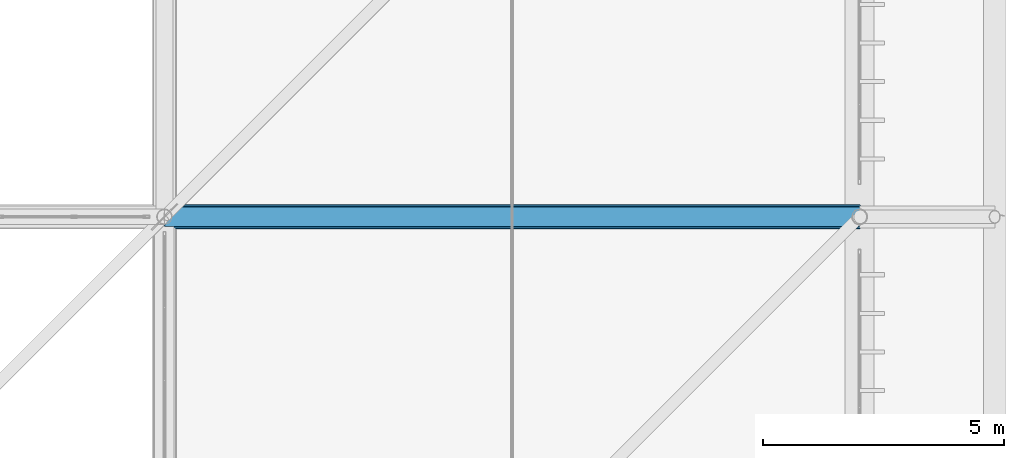
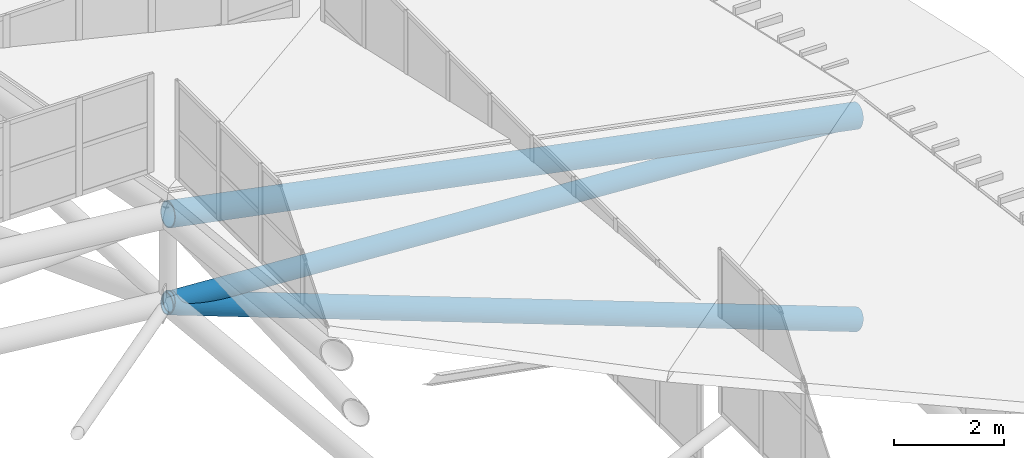
# One storey, part 336 of 397: 2 beams, 1 member.
"""IFC4 building model written with IfcOpenShell, lengths in metres."""

from ifc_helpers import new_model, si_unit, direction, frame, origin, origin_2d, place, context, subcontext, project, spatial, hollow_circle, extrude, material, material_profile, profile_set, type_object, element, save


model = new_model("IFC4")

# Units and contexts
model_context = context("Model", 3, precision=1e-05, world=origin(), true_north=direction((0.0, 1.0)))
body_context = subcontext(model_context, "Body", "Model", "MODEL_VIEW")
ifc_project = project(units=[si_unit("LENGTHUNIT", "METRE"), si_unit("AREAUNIT", "SQUARE_METRE"), si_unit("VOLUMEUNIT", "CUBIC_METRE"), si_unit("PLANEANGLEUNIT", "RADIAN"), si_unit("MASSUNIT", "GRAM", prefix="KILO")], contexts=[model_context])

# Site, building, storey
site_placement = place(None, origin())
site = spatial("IfcSite", under=ifc_project, at=site_placement, CompositionType="ELEMENT")
building_placement = place(site_placement, origin())
building = spatial("IfcBuilding", under=site, at=building_placement, Name="Qandorah Velis Arena", CompositionType="ELEMENT")
storey_placement = place(building_placement, frame((0.0, 0.0, 27.5)))
storey = spatial("IfcBuildingStorey", under=building, at=storey_placement, Name="RF", CompositionType="ELEMENT", Elevation=27.5)

# Beams
ifc_material_1 = material(Name="Steel S355", Category="steel")
ifc_material_profile_1 = material_profile(ifc_material_1, hollow_circle(Radius=0.228515625, WallThickness=0.01611328125, at=origin_2d()), Name="CHS 457x16")
ifc_profile_set_1 = profile_set([ifc_material_profile_1], Name="Steel S355")
beam_type_1 = type_object("IfcBeamType", Name="STR-SFC-CHS457X16", PredefinedType="USERDEFINED", material=ifc_profile_set_1)
beam_1_placement = place(storey_placement, frame((100.800048828125, 100.800048828125, 5.515380859375), z_axis=(0.936001385317, 0.0, -0.351996316295), x_axis=(0.0, 1.0, 0.0)))
element("IfcBeam", 1, at=beam_1_placement, inside=storey, type_object=beam_type_1, Name="Space frame roof truss bottom chord X 6.6", ObjectType="ROOF TRUSS", PredefinedType="USERDEFINED", context=body_context, shape_type="SweptSolid", body=[
    extrude(hollow_circle(Radius=0.228515625, WallThickness=0.01611328125, at=origin_2d()), origin(), (0.0, 0.0, 1.0), 15.384521484375),
])
ifc_material_profile_2 = material_profile(ifc_material_1, hollow_circle(Radius=0.25390625, WallThickness=0.02001953125, at=origin_2d()), Name="CHS 508x20")
ifc_profile_set_2 = profile_set([ifc_material_profile_2], Name="Steel S355")
beam_type_2 = type_object("IfcBeamType", Name="STR-SFC-CHS508X20", PredefinedType="USERDEFINED", material=ifc_profile_set_2)
beam_2_placement = place(storey_placement, frame((100.800048828125, 100.800048828125, 7.46533203125), z_axis=(0.980881415591, 0.0, -0.194606393904), x_axis=(0.0, 1.0, 0.0)))
element("IfcBeam", 2, at=beam_2_placement, inside=storey, type_object=beam_type_2, Name="Space frame roof truss top chord X 6.6", ObjectType="ROOF TRUSS", PredefinedType="USERDEFINED", context=body_context, shape_type="SweptSolid", body=[
    extrude(hollow_circle(Radius=0.25390625, WallThickness=0.02001953125, at=origin_2d()), origin(), (0.0, 0.0, 1.0), 14.6806640625),
])

# Member
ifc_material_2 = material(Name="Steel S460", Category="steel")
ifc_material_profile_3 = material_profile(ifc_material_2, hollow_circle(Radius=0.203125, WallThickness=0.02001953125, at=origin_2d()), Name="CHS 406.4x20")
ifc_profile_set_3 = profile_set([ifc_material_profile_3], Name="Steel S460")
member_type = type_object("IfcMemberType", Name="STR-SFD-CHS406X20", PredefinedType="STRUT", material=ifc_profile_set_3)
member_placement = place(storey_placement, frame((100.800048828125, 100.800048828125, 5.515380859375), z_axis=(0.998022307298, 0.0, -0.062860751952), x_axis=(0.0, 1.0, 0.0)))
element("IfcMember", 3, at=member_placement, inside=storey, type_object=member_type, Name="Space frame roof diagonal X 6.6", PredefinedType="STRUT", context=body_context, shape_type="SweptSolid", body=[
    extrude(hollow_circle(Radius=0.203125, WallThickness=0.02001953125, at=origin_2d()), origin(), (0.0, 0.0, 1.0), 14.428466796875),
])

save(model, "model.ifc")
